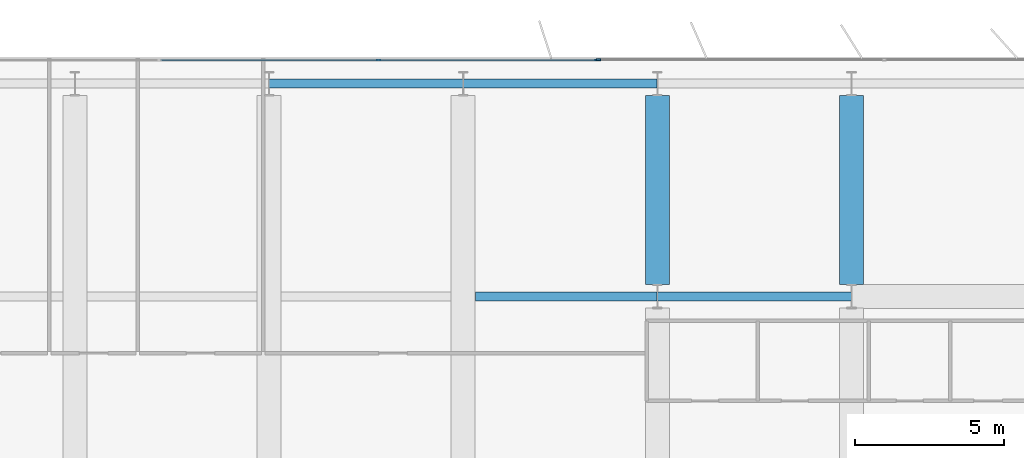
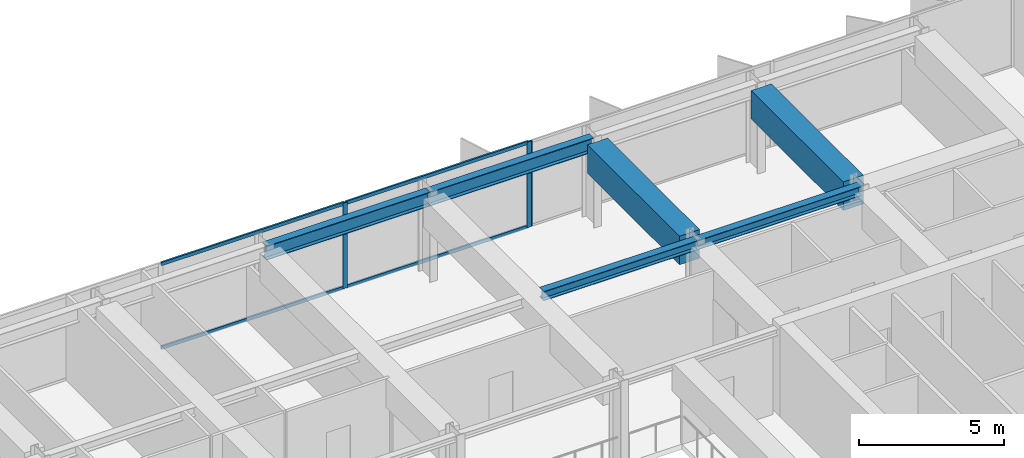
# One storey, part 12 of 24: 7 members, 6 beams, 2 elements without a shape of their own.
"""IFC4 building model written with IfcOpenShell, lengths in metres."""

from ifc_helpers import new_model, si_unit, direction, frame, origin, origin_2d, place, context, subcontext, project, spatial, rectangle, i_section, extrude, material, layer, layer_set, material_profile, profile_set, type_object, element, aggregate, save


model = new_model("IFC4")

# Units and contexts
model_context = context("Model", 3, precision=1e-05, world=origin(), true_north=direction((0.0, 1.0)))
body_context = subcontext(model_context, "Body", "Model", "MODEL_VIEW")
ifc_project = project(units=[si_unit("LENGTHUNIT", "METRE"), si_unit("AREAUNIT", "SQUARE_METRE"), si_unit("VOLUMEUNIT", "CUBIC_METRE"), si_unit("PLANEANGLEUNIT", "RADIAN"), si_unit("MASSUNIT", "GRAM", prefix="KILO")], contexts=[model_context])

# Site, building, storey
site_placement = place(None, origin())
site = spatial("IfcSite", under=ifc_project, at=site_placement, CompositionType="ELEMENT")
building_placement = place(site_placement, origin())
building = spatial("IfcBuilding", under=site, at=building_placement, Name="Putna Gate Headquarters", CompositionType="ELEMENT")
storey_placement = place(building_placement, frame((0.0, 0.0, 251.800048828125)))
storey = spatial("IfcBuildingStorey", under=building, at=storey_placement, Name="L63", CompositionType="ELEMENT", Elevation=251.800048828125)

# Beams
ifc_material_1 = material(Name="Steel S355J2", Category="steel")
ifc_material_profile_1 = material_profile(ifc_material_1, i_section(OverallWidth=0.300048828125, OverallDepth=0.389892578125, WebThickness=0.010986328125, FlangeThickness=0.01904296875, at=origin_2d()), Name="Steel S355J2")
ifc_profile_set_1 = profile_set([ifc_material_profile_1], Name="Steel S355J2")
beam_type_1 = type_object("IfcBeamType", Name="BM-SEC-Z5-HEA400", PredefinedType="BEAM", material=ifc_profile_set_1)
beam_1_placement = place(storey_placement, frame((45.904052734375, 39.0, 3.39306640625), z_axis=(1.0, 0.0, 0.0), x_axis=(0.0, 1.0, 0.0)))
element("IfcBeam", 1, at=beam_1_placement, inside=storey, type_object=beam_type_1, Name="L63 North Secondary Beam 6", PredefinedType="BEAM", context=body_context, shape_type="SweptSolid", body=[
    extrude(i_section(OverallWidth=0.300048828125, OverallDepth=0.389892578125, WebThickness=0.010986328125, FlangeThickness=0.01904296875, at=origin_2d()), origin(), (0.0, 0.0, 1.0), 6.08984375),
])
beam_2_placement = place(storey_placement, frame((52.006103515625, 39.0, 3.39306640625), z_axis=(1.0, 0.0, 0.0), x_axis=(0.0, 1.0, 0.0)))
element("IfcBeam", 2, at=beam_2_placement, inside=storey, type_object=beam_type_1, Name="L63 North Secondary Beam 7", PredefinedType="BEAM", context=body_context, shape_type="SweptSolid", body=[
    extrude(i_section(OverallWidth=0.300048828125, OverallDepth=0.389892578125, WebThickness=0.010986328125, FlangeThickness=0.01904296875, at=origin_2d()), origin(), (0.0, 0.0, 1.0), 6.48779296875),
])
ifc_material_profile_2 = material_profile(ifc_material_1, i_section(OverallWidth=0.300048828125, OverallDepth=0.590087890625, WebThickness=0.012939453125, FlangeThickness=0.02490234375, at=origin_2d()), Name="Steel S355J2")
ifc_profile_set_2 = profile_set([ifc_material_profile_2], Name="Steel S355J2")
beam_type_2 = type_object("IfcBeamType", Name="BM-SPAN-Z4-HEA600", PredefinedType="SPANDREL", material=ifc_profile_set_2)
for number, where, z_axis, x_axis, name in (
    (3, (39.006103515625, 46.1201171875, 3.29296875), (1.0, 0.0, 0.0), (0.0, 1.0, 0.0), "L63 N Perimeter Spandrel 5"),
    (4, (45.506103515625, 46.1201171875, 3.29296875), (1.0, 0.0, 0.0), (0.0, 1.0, 0.0), "L63 N Perimeter Spandrel 6"),
):
    element("IfcBeam", number, at=place(storey_placement, frame(where, z_axis=z_axis, x_axis=x_axis)), inside=storey, type_object=beam_type_2, Name=name, PredefinedType="SPANDREL", context=body_context, shape_type="SweptSolid", body=[
        extrude(i_section(OverallWidth=0.300048828125, OverallDepth=0.590087890625, WebThickness=0.012939453125, FlangeThickness=0.02490234375, at=origin_2d()), origin(), (0.0, 0.0, 1.0), 6.48779296875),
    ])
ifc_material_2 = material(Name="Concrete C50/60", Category="concrete")
ifc_material_profile_3 = material_profile(ifc_material_2, rectangle(XDim=0.800048828125, YDim=1.199951171875, at=origin_2d()), Name="Concrete C50/60")
ifc_profile_set_3 = profile_set([ifc_material_profile_3], Name="Concrete C50/60")
beam_type_3 = type_object("IfcBeamType", Name="BM-TG-RC1200", PredefinedType="USERDEFINED", material=ifc_profile_set_3)
for number, where, z_axis, x_axis, name in (
    (5, (52.0, 39.39501953125, 2.988037109375), (0.0, 1.0, 0.0), (-1.0, 0.0, 0.0), "L63 North Primary Girder X52-2"),
    (6, (58.5, 39.39501953125, 2.988037109375), (0.0, 1.0, 0.0), (-1.0, 0.0, 0.0), "L63 North Primary Girder X58-2"),
):
    element("IfcBeam", number, at=place(storey_placement, frame(where, z_axis=z_axis, x_axis=x_axis)), inside=storey, type_object=beam_type_3, Name=name, ObjectType="GIRDER", PredefinedType="USERDEFINED", context=body_context, shape_type="SweptSolid", body=[
        extrude(rectangle(XDim=0.800048828125, YDim=1.199951171875, at=origin_2d()), origin(), (0.0, 0.0, 1.0), 6.330078125),
    ])

# Curtain wall, member
ifc_material_3 = material(Name="Anodised bronze aluminium curtain wall", Category="aluminium")
ifc_layer_1 = layer(ifc_material_3, 0.139892578125)
ifc_layer_set_1 = layer_set([ifc_layer_1], Name="Anodised bronze aluminium curtain wall")
curtain_wall_type_1 = type_object("IfcCurtainWallType", Name="CW-SYS-Z4", PredefinedType="USERDEFINED", material=ifc_layer_set_1)
curtain_wall_1_placement = place(storey_placement, origin())
curtain_wall_1 = element("IfcCurtainWall", 7, at=curtain_wall_1_placement, inside=storey, type_object=curtain_wall_type_1, Name="L63 North East Curtain Wall", ObjectType="STICK CURTAIN WALL", PredefinedType="USERDEFINED")
ifc_material_4 = material(Name="Anodised bronze aluminium EN AW-6060", Category="aluminium")
ifc_material_profile_4 = material_profile(ifc_material_4, rectangle(XDim=0.06005859375, YDim=0.139892578125, at=origin_2d()), Name="Anodised bronze aluminium EN AW-6060")
ifc_profile_set_4 = profile_set([ifc_material_profile_4], Name="Anodised bronze aluminium EN AW-6060")
member_type_1 = type_object("IfcMemberType", Name="MULL-CWM-4", PredefinedType="MULLION", material=ifc_profile_set_4)
member_1_placement = place(storey_placement, frame((50.030029296875, 46.919921875, 0.0), z_axis=(0.0, 0.0, 1.0), x_axis=(0.0, 1.0, 0.0)))
member_1 = element("IfcMember", 8, at=member_1_placement, type_object=member_type_1, Name="CWS-4 mullion 1", PredefinedType="MULLION", context=body_context, shape_type="SweptSolid", body=[
    extrude(rectangle(XDim=0.06005859375, YDim=0.139892578125, at=origin_2d()), origin(), (0.0, 0.0, 1.0), 3.587890625),
])
aggregate(curtain_wall_1, [member_1])

# Curtain wall, members
ifc_layer_2 = layer(ifc_material_3, 0.179931640625)
ifc_layer_set_2 = layer_set([ifc_layer_2], Name="Anodised bronze aluminium curtain wall")
curtain_wall_type_2 = type_object("IfcCurtainWallType", Name="CW-SYS-ATR", PredefinedType="USERDEFINED", material=ifc_layer_set_2)
curtain_wall_2_placement = place(storey_placement, origin())
curtain_wall_2 = element("IfcCurtainWall", 9, at=curtain_wall_2_placement, inside=storey, type_object=curtain_wall_type_2, Name="L63 North Atrium Clear Glazing", ObjectType="ATRIUM GLAZING", PredefinedType="USERDEFINED")
ifc_material_profile_5 = material_profile(ifc_material_4, rectangle(XDim=0.070068359375, YDim=0.179931640625, at=origin_2d()), Name="Anodised bronze aluminium EN AW-6060")
ifc_profile_set_5 = profile_set([ifc_material_profile_5], Name="Anodised bronze aluminium EN AW-6060")
member_type_2 = type_object("IfcMemberType", Name="MULL-CWM-AT", PredefinedType="MULLION", material=ifc_profile_set_5)
member_2_placement = place(storey_placement, frame((42.666748046875, 46.919921875, 0.0), z_axis=(0.0, 0.0, 1.0), x_axis=(0.0, 1.0, 0.0)))
member_2 = element("IfcMember", 10, at=member_2_placement, type_object=member_type_2, Name="CWS-AT mullion 3", PredefinedType="MULLION", context=body_context, shape_type="SweptSolid", body=[
    extrude(rectangle(XDim=0.070068359375, YDim=0.179931640625, at=origin_2d()), origin(), (0.0, 0.0, 1.0), 3.587890625),
])
member_3_placement = place(storey_placement, frame((49.965087890625, 46.919921875, 0.0), z_axis=(0.0, 0.0, 1.0), x_axis=(0.0, 1.0, 0.0)))
member_3 = element("IfcMember", 11, at=member_3_placement, type_object=member_type_2, Name="CWS-AT mullion 4", PredefinedType="MULLION", context=body_context, shape_type="SweptSolid", body=[
    extrude(rectangle(XDim=0.070068359375, YDim=0.179931640625, at=origin_2d()), origin(), (0.0, 0.0, 1.0), 3.587890625),
])
ifc_material_profile_6 = material_profile(ifc_material_4, rectangle(XDim=0.070068359375, YDim=0.139892578125, at=origin_2d()), Name="Anodised bronze aluminium EN AW-6060")
ifc_profile_set_6 = profile_set([ifc_material_profile_6], Name="Anodised bronze aluminium EN AW-6060")
member_type_3 = type_object("IfcMemberType", Name="TRAN-CWT-AT", PredefinedType="USERDEFINED", material=ifc_profile_set_6)
member_4_placement = place(storey_placement, frame((35.368408203125, 46.919921875, 0.034912109375), z_axis=(1.0, 0.0, 0.0), x_axis=(0.0, 1.0, 0.0)))
member_4 = element("IfcMember", 12, at=member_4_placement, type_object=member_type_3, Name="CWS-AT transom 2.1", ObjectType="TRANSOM", PredefinedType="USERDEFINED", context=body_context, shape_type="SweptSolid", body=[
    extrude(rectangle(XDim=0.070068359375, YDim=0.139892578125, at=origin_2d()), origin(), (0.0, 0.0, 1.0), 7.26318359375),
])
member_5_placement = place(storey_placement, frame((35.368408203125, 46.919921875, 3.552978515625), z_axis=(1.0, 0.0, 0.0), x_axis=(0.0, 1.0, 0.0)))
member_5 = element("IfcMember", 13, at=member_5_placement, type_object=member_type_3, Name="CWS-AT transom 2.2", ObjectType="TRANSOM", PredefinedType="USERDEFINED", context=body_context, shape_type="SweptSolid", body=[
    extrude(rectangle(XDim=0.070068359375, YDim=0.139892578125, at=origin_2d()), origin(), (0.0, 0.0, 1.0), 7.26318359375),
])
member_6_placement = place(storey_placement, frame((42.70166015625, 46.919921875, 0.034912109375), z_axis=(1.0, 0.0, 0.0), x_axis=(0.0, 1.0, 0.0)))
member_6 = element("IfcMember", 14, at=member_6_placement, type_object=member_type_3, Name="CWS-AT transom 3.1", ObjectType="TRANSOM", PredefinedType="USERDEFINED", context=body_context, shape_type="SweptSolid", body=[
    extrude(rectangle(XDim=0.070068359375, YDim=0.139892578125, at=origin_2d()), origin(), (0.0, 0.0, 1.0), 7.228271484375),
])
member_7_placement = place(storey_placement, frame((42.70166015625, 46.919921875, 3.552978515625), z_axis=(1.0, 0.0, 0.0), x_axis=(0.0, 1.0, 0.0)))
member_7 = element("IfcMember", 15, at=member_7_placement, type_object=member_type_3, Name="CWS-AT transom 3.2", ObjectType="TRANSOM", PredefinedType="USERDEFINED", context=body_context, shape_type="SweptSolid", body=[
    extrude(rectangle(XDim=0.070068359375, YDim=0.139892578125, at=origin_2d()), origin(), (0.0, 0.0, 1.0), 7.228271484375),
])
aggregate(curtain_wall_2, [member_2, member_3, member_4, member_5, member_6, member_7])

save(model, "model.ifc")
